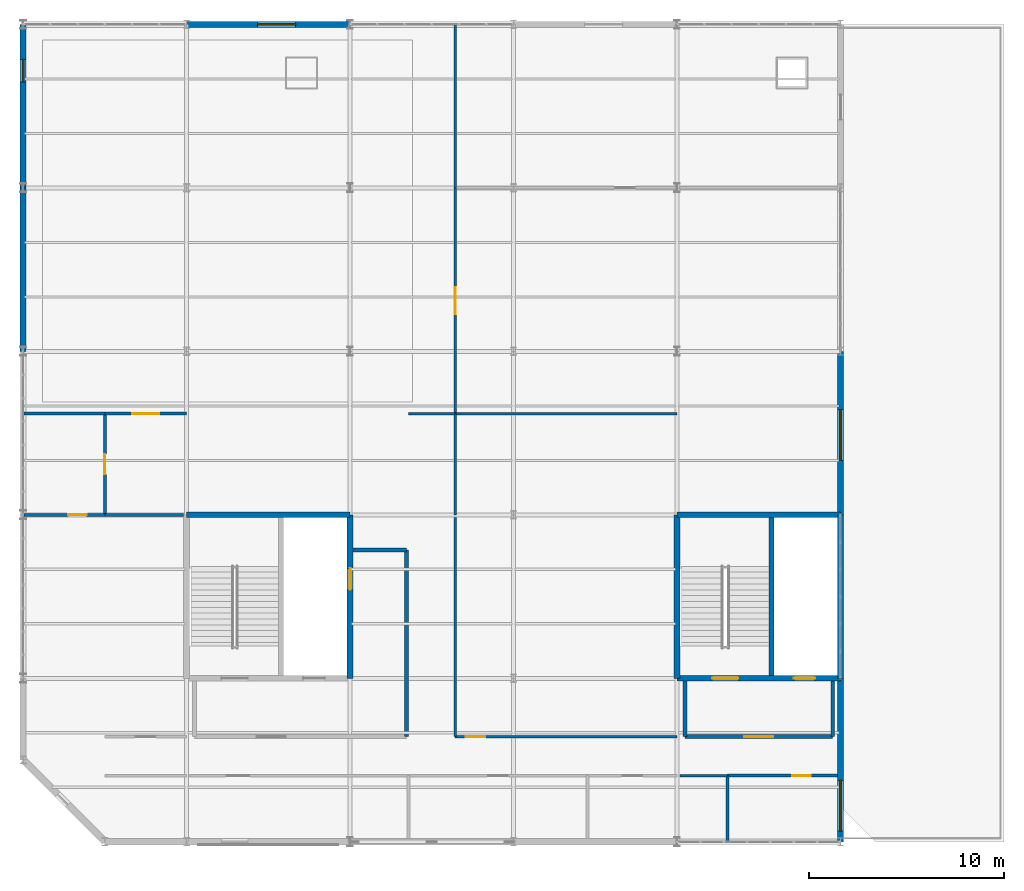
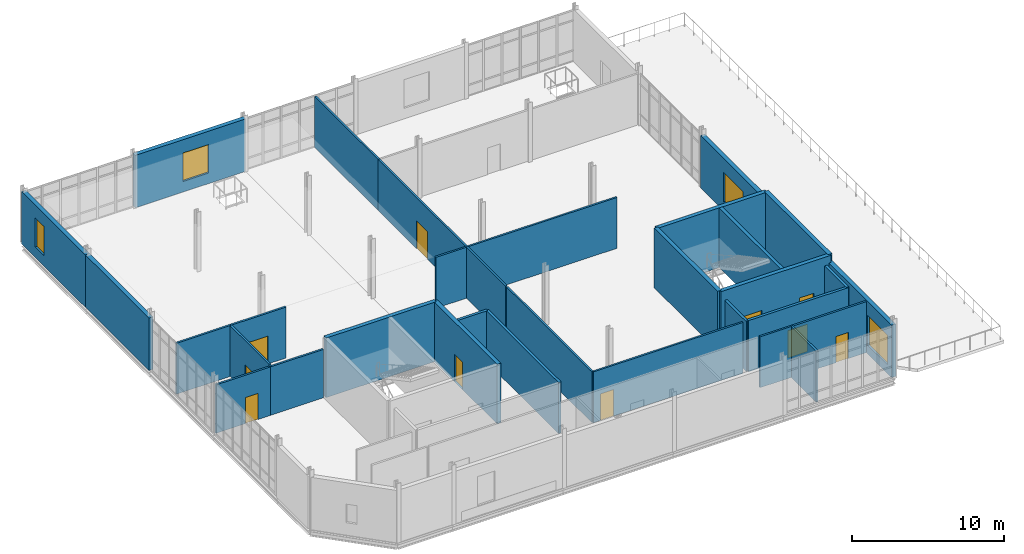
# One storey, part 24 of 28: 32 walls, 10 doors, 4 windows, 14 openings.
"""IFC4 building model written with IfcOpenShell, lengths in metres."""

from ifc_helpers import new_model, si_unit, direction, frame, frame_2d, origin, place, context, subcontext, project, spatial, rectangle, extrude, material, layer, layer_set, type_object, element, fill, save


model = new_model("IFC4")

# Units and contexts
model_context = context("Model", 3, precision=1e-05, world=origin(), true_north=direction((0.0, 1.0)))
body_context = subcontext(model_context, "Body", "Model", "MODEL_VIEW")
ifc_project = project(units=[si_unit("LENGTHUNIT", "METRE"), si_unit("AREAUNIT", "SQUARE_METRE"), si_unit("VOLUMEUNIT", "CUBIC_METRE"), si_unit("PLANEANGLEUNIT", "RADIAN"), si_unit("MASSUNIT", "GRAM", prefix="KILO")], contexts=[model_context])

# Site, building, storey
site_placement = place(None, origin())
site = spatial("IfcSite", under=ifc_project, at=site_placement, CompositionType="ELEMENT")
building_placement = place(site_placement, origin())
building = spatial("IfcBuilding", under=site, at=building_placement, Name="Qalvenar Corner Mobility Hub", CompositionType="ELEMENT")
storey_placement = place(building_placement, frame((0.0, 0.0, 21.60009765625)))
storey = spatial("IfcBuildingStorey", under=building, at=storey_placement, Name="L05", CompositionType="ELEMENT", Elevation=21.60009765625)

# Wall
ifc_material_1 = material(Name="Concrete C40/50", Category="concrete")
ifc_layer_1 = layer(ifc_material_1, 0.25)
ifc_layer_set_1 = layer_set([ifc_layer_1], Name="Concrete C40/50")
wall_type_1 = type_object("IfcWallType", Name="WL-CORE250", PredefinedType="SHEAR", material=ifc_layer_set_1)
wall_1_placement = place(storey_placement, frame((38.449951171875, 8.550048828125, 0.0), z_axis=(0.0, 0.0, 1.0), x_axis=(0.0, 1.0, 0.0)))
element("IfcWall", 1, at=wall_1_placement, inside=storey, type_object=wall_type_1, Name="Core Divider Wall C2-L05", PredefinedType="SHEAR", context=body_context, shape_type="SweptSolid", body=[
    extrude(rectangle(XDim=8.099853515625, YDim=0.25, at=frame_2d((4.0498046875, 0.0))), origin(), (0.0, 0.0, 1.0), 4.7998046875),
])

# Wall, opening, door
ifc_layer_2 = layer(ifc_material_1, 0.300048828125)
ifc_layer_set_2 = layer_set([ifc_layer_2], Name="Concrete C40/50")
wall_type_2 = type_object("IfcWallType", Name="WL-CORE300", PredefinedType="SHEAR", material=ifc_layer_set_2)
wall_2_placement = place(storey_placement, frame((16.800048828125, 8.39990234375, 0.0), z_axis=(0.0, 0.0, 1.0), x_axis=(0.0, 1.0, 0.0)))
wall_2 = element("IfcWall", 2, at=wall_2_placement, inside=storey, type_object=wall_type_2, Name="Core Shear Wall C1-L05-E", PredefinedType="SHEAR", context=body_context, shape_type="SweptSolid", body=[
    extrude(rectangle(XDim=8.400146484375, YDim=0.300048828125, at=frame_2d((4.2001953125, 0.0))), origin(), (0.0, 0.0, 1.0), 4.7998046875),
])
opening_1_placement = place(wall_2_placement, frame((4.550048828125, 0.0, 0.0)))
opening_1 = element("IfcOpeningElement", 3, at=opening_1_placement, cuts=wall_2, Name="Opening DR-257", PredefinedType="OPENING", context=body_context, shape_type="SweptSolid", body=[
    extrude(rectangle(XDim=1.10009765625, YDim=2.199951171875, at=frame_2d((0.550048828125, 1.10009765625))), frame((0.0, 0.16015625, 0.0), z_axis=(0.0, -1.0, 0.0), x_axis=(1.0, 0.0, 0.0)), (0.0, 0.0, 1.0), 0.320068359375),
])
ifc_material_2 = material(Name="Stainless Steel Lift Landing Door", Category="steel")
door_type_1 = type_object("IfcDoorType", Name="DR-LIFT-110", OperationType="SLIDING_TO_LEFT", PredefinedType="DOOR", material=ifc_material_2)
door_1_placement = place(opening_1_placement, origin())
door_1 = element("IfcDoor", 4, at=door_1_placement, inside=storey, type_object=door_type_1, Name="DR-257 Lift Landing Door LP1-L05", OperationType="SLIDING_TO_RIGHT", OverallHeight=2.199951171875, OverallWidth=1.10009765625, PredefinedType="DOOR", context=body_context, shape_type="SweptSolid", body=[
    extrude(rectangle(XDim=1.10009765625, YDim=2.199951171875, at=frame_2d((0.550048828125, 1.10009765625))), frame((0.0, 0.02490234375, 0.0), z_axis=(0.0, -1.0, 0.0), x_axis=(1.0, 0.0, 0.0)), (0.0, 0.0, 1.0), 0.050048828125),
])
fill(opening_1, door_1)

# Wall
wall_3_placement = place(storey_placement, frame((16.800048828125, 16.800048828125, 0.0), z_axis=(0.0, 0.0, 1.0), x_axis=(-1.0, 0.0, 0.0)))
element("IfcWall", 5, at=wall_3_placement, inside=storey, type_object=wall_type_2, Name="Core Shear Wall C1-L05-N", PredefinedType="SHEAR", context=body_context, shape_type="SweptSolid", body=[
    extrude(rectangle(XDim=8.400146484375, YDim=0.300048828125, at=frame_2d((4.2001953125, 0.0))), origin(), (0.0, 0.0, 1.0), 4.7998046875),
])

# Wall, openings, doors
wall_4_placement = place(storey_placement, frame((33.60009765625, 8.39990234375, 0.0), z_axis=(0.0, 0.0, 1.0), x_axis=(1.0, 0.0, 0.0)))
wall_4 = element("IfcWall", 6, at=wall_4_placement, inside=storey, type_object=wall_type_2, Name="Core Shear Wall C2-L05-S", PredefinedType="SHEAR", context=body_context, shape_type="SweptSolid", body=[
    extrude(rectangle(XDim=8.39990234375, YDim=0.300048828125, at=frame_2d((4.199951171875, 0.0))), origin(), (0.0, 0.0, 1.0), 4.7998046875),
])
opening_2_placement = place(wall_4_placement, frame((1.800048828125, 0.0, 0.0)))
opening_2 = element("IfcOpeningElement", 7, at=opening_2_placement, cuts=wall_4, Name="Opening DR-259", PredefinedType="OPENING", context=body_context, shape_type="SweptSolid", body=[
    extrude(rectangle(XDim=1.35009765625, YDim=2.199951171875, at=frame_2d((0.675048828125, 1.10009765625))), frame((0.0, 0.16015625, 0.0), z_axis=(0.0, -1.0, 0.0), x_axis=(1.0, 0.0, 0.0)), (0.0, 0.0, 1.0), 0.320068359375),
])
opening_3_placement = place(wall_4_placement, frame((6.0, 0.0, 0.0)))
opening_3 = element("IfcOpeningElement", 8, at=opening_3_placement, cuts=wall_4, Name="Opening DR-260", PredefinedType="OPENING", context=body_context, shape_type="SweptSolid", body=[
    extrude(rectangle(XDim=1.10009765625, YDim=2.199951171875, at=frame_2d((0.550048828125, 1.10009765625))), frame((0.0, 0.16015625, 0.0), z_axis=(0.0, -1.0, 0.0), x_axis=(1.0, 0.0, 0.0)), (0.0, 0.0, 1.0), 0.320068359375),
])
door_2_placement = place(opening_3_placement, origin())
door_2 = element("IfcDoor", 9, at=door_2_placement, inside=storey, type_object=door_type_1, Name="DR-260 Lift Landing Door LF2-L05", OperationType="SLIDING_TO_LEFT", OverallHeight=2.199951171875, OverallWidth=1.10009765625, PredefinedType="DOOR", context=body_context, shape_type="SweptSolid", body=[
    extrude(rectangle(XDim=1.10009765625, YDim=2.199951171875, at=frame_2d((0.550048828125, 1.10009765625))), frame((0.0, 0.02490234375, 0.0), z_axis=(0.0, -1.0, 0.0), x_axis=(1.0, 0.0, 0.0)), (0.0, 0.0, 1.0), 0.050048828125),
])
fill(opening_3, door_2)
ifc_material_3 = material(Name="Fire-Rated Steel Stair Door FD90", Category="steel")
door_type_2 = type_object("IfcDoorType", Name="DR-STAIR-135", OperationType="NOTDEFINED", PredefinedType="DOOR", material=ifc_material_3)
door_3_placement = place(opening_2_placement, origin())
door_3 = element("IfcDoor", 10, at=door_3_placement, inside=storey, type_object=door_type_2, Name="DR-259 Stair Fire Door ST2-L05", OperationType="SINGLE_SWING_LEFT", OverallHeight=2.199951171875, OverallWidth=1.35009765625, PredefinedType="DOOR", context=body_context, shape_type="SweptSolid", body=[
    extrude(rectangle(XDim=1.35009765625, YDim=2.199951171875, at=frame_2d((0.675048828125, 1.10009765625))), frame((0.0, 0.02490234375, 0.0), z_axis=(0.0, -1.0, 0.0), x_axis=(1.0, 0.0, 0.0)), (0.0, 0.0, 1.0), 0.050048828125),
])
fill(opening_2, door_3)

# Walls
wall_5_placement = place(storey_placement, frame((42.0, 8.39990234375, 0.0), z_axis=(0.0, 0.0, 1.0), x_axis=(0.0, 1.0, 0.0)))
element("IfcWall", 11, at=wall_5_placement, inside=storey, type_object=wall_type_2, Name="Core Shear Wall C2-L05-E", PredefinedType="SHEAR", context=body_context, shape_type="SweptSolid", body=[
    extrude(rectangle(XDim=8.400146484375, YDim=0.300048828125, at=frame_2d((4.2001953125, 0.0))), origin(), (0.0, 0.0, 1.0), 4.7998046875),
])
wall_6_placement = place(storey_placement, frame((42.0, 16.800048828125, 0.0), z_axis=(0.0, 0.0, 1.0), x_axis=(-1.0, 0.0, 0.0)))
element("IfcWall", 12, at=wall_6_placement, inside=storey, type_object=wall_type_2, Name="Core Shear Wall C2-L05-N", PredefinedType="SHEAR", context=body_context, shape_type="SweptSolid", body=[
    extrude(rectangle(XDim=8.39990234375, YDim=0.300048828125, at=frame_2d((4.199951171875, 0.0))), origin(), (0.0, 0.0, 1.0), 4.7998046875),
])
wall_7_placement = place(storey_placement, frame((33.60009765625, 16.800048828125, 0.0), z_axis=(0.0, 0.0, 1.0), x_axis=(0.0, -1.0, 0.0)))
element("IfcWall", 13, at=wall_7_placement, inside=storey, type_object=wall_type_2, Name="Core Shear Wall C2-L05-W", PredefinedType="SHEAR", context=body_context, shape_type="SweptSolid", body=[
    extrude(rectangle(XDim=8.400146484375, YDim=0.300048828125, at=frame_2d((4.2001953125, 0.0))), origin(), (0.0, 0.0, 1.0), 4.7998046875),
])
ifc_material_4 = material(Name="Red Sandstone Ashlar Masonry", Category="masonry")
ifc_layer_3 = layer(ifc_material_4, 0.320068359375)
ifc_layer_set_3 = layer_set([ifc_layer_3], Name="Red Sandstone Ashlar Masonry")
wall_type_3 = type_object("IfcWallType", Name="WL-EXT-SAND320", PredefinedType="STANDARD", material=ifc_layer_set_3)
wall_8_placement = place(storey_placement, frame((0.0, 33.60009765625, 0.0), z_axis=(0.0, 0.0, 1.0), x_axis=(0.0, -1.0, 0.0)))
element("IfcWall", 14, at=wall_8_placement, inside=storey, type_object=wall_type_3, Name="Exterior Facade Wall EW-V3-L05-060", PredefinedType="STANDARD", context=body_context, shape_type="SweptSolid", body=[
    extrude(rectangle(XDim=8.400146484375, YDim=0.320068359375, at=frame_2d((4.2001953125, 0.0))), origin(), (0.0, 0.0, 1.0), 4.219970703125),
])

# Wall, opening, window
wall_9_placement = place(storey_placement, frame((0.0, 42.0, 0.0), z_axis=(0.0, 0.0, 1.0), x_axis=(0.0, -1.0, 0.0)))
wall_9 = element("IfcWall", 15, at=wall_9_placement, inside=storey, type_object=wall_type_3, Name="Exterior Facade Wall EW-V3-L05-061", PredefinedType="STANDARD", context=body_context, shape_type="SweptSolid", body=[
    extrude(rectangle(XDim=8.39990234375, YDim=0.320068359375, at=frame_2d((4.199951171875, 0.0))), origin(), (0.0, 0.0, 1.0), 4.219970703125),
])
opening_4_placement = place(wall_9_placement, frame((1.800048828125, 0.0, 0.85009765625)))
opening_4 = element("IfcOpeningElement", 16, at=opening_4_placement, cuts=wall_9, Name="Opening W-28", PredefinedType="OPENING", context=body_context, shape_type="SweptSolid", body=[
    extrude(rectangle(XDim=1.14990234375, YDim=2.35009765625, at=frame_2d((0.574951171875, 1.175048828125))), frame((0.0, 0.169921875, 0.0), z_axis=(0.0, -1.0, 0.0), x_axis=(1.0, 0.0, 0.0)), (0.0, 0.0, 1.0), 0.340087890625),
])
ifc_material_5 = material(Name="Solar-Control Double-Glazed Bronze Window", Category="glass")
window_type_1 = type_object("IfcWindowType", Name="WN-CIV-115X235", PartitioningType="SINGLE_PANEL", PredefinedType="WINDOW", material=ifc_material_5)
window_1_placement = place(opening_4_placement, origin())
window_1 = element("IfcWindow", 17, at=window_1_placement, inside=storey, type_object=window_type_1, Name="Facade Window EW-V3-L05-061-W1", OverallHeight=2.35009765625, OverallWidth=1.14990234375, PartitioningType="SINGLE_PANEL", PredefinedType="WINDOW", context=body_context, shape_type="SweptSolid", body=[
    extrude(rectangle(XDim=1.14990234375, YDim=2.35009765625, at=frame_2d((0.574951171875, 1.175048828125))), frame((0.0, 0.030029296875, 0.0), z_axis=(0.0, -1.0, 0.0), x_axis=(1.0, 0.0, 0.0)), (0.0, 0.0, 1.0), 0.06005859375),
])
fill(opening_4, window_1)

wall_10_placement = place(storey_placement, frame((16.800048828125, 42.0, 0.0), z_axis=(0.0, 0.0, 1.0), x_axis=(-1.0, 0.0, 0.0)))
wall_10 = element("IfcWall", 18, at=wall_10_placement, inside=storey, type_object=wall_type_3, Name="Exterior Facade Wall EW-V3-L05-062", PredefinedType="STANDARD", context=body_context, shape_type="SweptSolid", body=[
    extrude(rectangle(XDim=8.400146484375, YDim=0.320068359375, at=frame_2d((4.2001953125, 0.0))), origin(), (0.0, 0.0, 1.0), 4.219970703125),
])
opening_5_placement = place(wall_10_placement, frame((2.800048828125, 0.0, 0.85009765625)))
opening_5 = element("IfcOpeningElement", 19, at=opening_5_placement, cuts=wall_10, Name="Opening W-29", PredefinedType="OPENING", context=body_context, shape_type="SweptSolid", body=[
    extrude(rectangle(XDim=1.949951171875, YDim=2.300048828125, at=frame_2d((0.97509765625, 1.14990234375))), frame((0.0, 0.169921875, 0.0), z_axis=(0.0, -1.0, 0.0), x_axis=(1.0, 0.0, 0.0)), (0.0, 0.0, 1.0), 0.340087890625),
])
window_type_2 = type_object("IfcWindowType", Name="WN-CIV-195X230", PartitioningType="DOUBLE_PANEL_VERTICAL", PredefinedType="WINDOW", material=ifc_material_5)
window_2_placement = place(opening_5_placement, origin())
window_2 = element("IfcWindow", 20, at=window_2_placement, inside=storey, type_object=window_type_2, Name="Facade Window EW-V3-L05-062-W1", OverallHeight=2.300048828125, OverallWidth=1.949951171875, PartitioningType="SINGLE_PANEL", PredefinedType="WINDOW", context=body_context, shape_type="SweptSolid", body=[
    extrude(rectangle(XDim=1.949951171875, YDim=2.300048828125, at=frame_2d((0.97509765625, 1.14990234375))), frame((0.0, 0.030029296875, 0.0), z_axis=(0.0, -1.0, 0.0), x_axis=(1.0, 0.0, 0.0)), (0.0, 0.0, 1.0), 0.06005859375),
])
fill(opening_5, window_2)

wall_11_placement = place(storey_placement, frame((42.0, 0.0, 0.0), z_axis=(0.0, 0.0, 1.0), x_axis=(0.0, 1.0, 0.0)))
wall_11 = element("IfcWall", 21, at=wall_11_placement, inside=storey, type_object=wall_type_3, Name="Exterior Facade Wall EW-V3-L05-064", PredefinedType="STANDARD", context=body_context, shape_type="SweptSolid", body=[
    extrude(rectangle(XDim=8.39990234375, YDim=0.320068359375, at=frame_2d((4.199951171875, 0.0))), origin(), (0.0, 0.0, 1.0), 4.219970703125),
])
opening_6_placement = place(wall_11_placement, frame((0.550048828125, 0.0, 0.699951171875)))
opening_6 = element("IfcOpeningElement", 22, at=opening_6_placement, cuts=wall_11, Name="Opening W-11", PredefinedType="OPENING", context=body_context, shape_type="SweptSolid", body=[
    extrude(rectangle(XDim=2.60009765625, YDim=2.39990234375, at=frame_2d((1.300048828125, 1.199951171875))), frame((0.0, 0.169921875, 0.0), z_axis=(0.0, -1.0, 0.0), x_axis=(1.0, 0.0, 0.0)), (0.0, 0.0, 1.0), 0.340087890625),
])
window_type_3 = type_object("IfcWindowType", Name="WN-CON-260X240", PartitioningType="TRIPLE_PANEL_VERTICAL", PredefinedType="WINDOW", material=ifc_material_5)
window_3_placement = place(opening_6_placement, origin())
window_3 = element("IfcWindow", 23, at=window_3_placement, inside=storey, type_object=window_type_3, Name="Facade Window EW-V3-L05-064-W1", OverallHeight=2.39990234375, OverallWidth=2.60009765625, PartitioningType="SINGLE_PANEL", PredefinedType="WINDOW", context=body_context, shape_type="SweptSolid", body=[
    extrude(rectangle(XDim=2.60009765625, YDim=2.39990234375, at=frame_2d((1.300048828125, 1.199951171875))), frame((0.0, 0.030029296875, 0.0), z_axis=(0.0, -1.0, 0.0), x_axis=(1.0, 0.0, 0.0)), (0.0, 0.0, 1.0), 0.06005859375),
])
fill(opening_6, window_3)

wall_12_placement = place(storey_placement, frame((42.0, 16.800048828125, 0.0), z_axis=(0.0, 0.0, 1.0), x_axis=(0.0, 1.0, 0.0)))
wall_12 = element("IfcWall", 24, at=wall_12_placement, inside=storey, type_object=wall_type_3, Name="Exterior Facade Wall EW-V3-L05-065", PredefinedType="STANDARD", context=body_context, shape_type="SweptSolid", body=[
    extrude(rectangle(XDim=8.39990234375, YDim=0.320068359375, at=frame_2d((4.199951171875, 0.0))), origin(), (0.0, 0.0, 1.0), 4.219970703125),
])
opening_7_placement = place(wall_12_placement, frame((2.800048828125, 0.0, 0.699951171875)))
opening_7 = element("IfcOpeningElement", 25, at=opening_7_placement, cuts=wall_12, Name="Opening W-11", PredefinedType="OPENING", context=body_context, shape_type="SweptSolid", body=[
    extrude(rectangle(XDim=2.60009765625, YDim=2.39990234375, at=frame_2d((1.300048828125, 1.199951171875))), frame((0.0, 0.169921875, 0.0), z_axis=(0.0, -1.0, 0.0), x_axis=(1.0, 0.0, 0.0)), (0.0, 0.0, 1.0), 0.340087890625),
])
window_4_placement = place(opening_7_placement, origin())
window_4 = element("IfcWindow", 26, at=window_4_placement, inside=storey, type_object=window_type_3, Name="Facade Window EW-V3-L05-065-W1", OverallHeight=2.39990234375, OverallWidth=2.60009765625, PartitioningType="SINGLE_PANEL", PredefinedType="WINDOW", context=body_context, shape_type="SweptSolid", body=[
    extrude(rectangle(XDim=2.60009765625, YDim=2.39990234375, at=frame_2d((1.300048828125, 1.199951171875))), frame((0.0, 0.030029296875, 0.0), z_axis=(0.0, -1.0, 0.0), x_axis=(1.0, 0.0, 0.0)), (0.0, 0.0, 1.0), 0.06005859375),
])
fill(opening_7, window_4)

# Wall
ifc_material_6 = material(Name="Acoustic Gypsum Stud Partition", Category="masonry")
ifc_layer_4 = layer(ifc_material_6, 0.139892578125)
ifc_layer_set_4 = layer_set([ifc_layer_4], Name="Acoustic Gypsum Stud Partition")
wall_type_4 = type_object("IfcWallType", Name="WL-INT140", PredefinedType="PARTITIONING", material=ifc_layer_set_4)
wall_13_placement = place(storey_placement, frame((33.75, 3.39990234375, 0.0), z_axis=(0.0, 0.0, 1.0), x_axis=(1.0, 0.0, 0.0)))
element("IfcWall", 27, at=wall_13_placement, inside=storey, type_object=wall_type_4, Name="Interior Partition PRT-L05-005", PredefinedType="PARTITIONING", context=body_context, shape_type="SweptSolid", body=[
    extrude(rectangle(XDim=2.449951171875, YDim=0.139892578125, at=frame_2d((1.22509765625, 0.0))), origin(), (0.0, 0.0, 1.0), 4.099853515625),
])

# Wall, opening, door
wall_14_placement = place(storey_placement, frame((22.199951171875, 5.39990234375, 0.0), z_axis=(0.0, 0.0, 1.0), x_axis=(1.0, 0.0, 0.0)))
wall_14 = element("IfcWall", 28, at=wall_14_placement, inside=storey, type_object=wall_type_4, Name="Interior Partition PRT-L05-008", PredefinedType="PARTITIONING", context=body_context, shape_type="SweptSolid", body=[
    extrude(rectangle(XDim=11.400146484375, YDim=0.139892578125, at=frame_2d((5.7001953125, 0.0))), origin(), (0.0, 0.0, 1.0), 4.099853515625),
])
opening_8_placement = place(wall_14_placement, frame((0.550048828125, 0.0, 0.0)))
opening_8 = element("IfcOpeningElement", 29, at=opening_8_placement, cuts=wall_14, Name="Opening DR-267", PredefinedType="OPENING", context=body_context, shape_type="SweptSolid", body=[
    extrude(rectangle(XDim=1.0, YDim=2.14990234375, at=frame_2d((0.5, 1.074951171875))), frame((0.0, 0.080078125, 0.0), z_axis=(0.0, -1.0, 0.0), x_axis=(1.0, 0.0, 0.0)), (0.0, 0.0, 1.0), 0.159912109375),
])
ifc_material_7 = material(Name="Hardwood Teak Office Door FD30", Category="wood")
door_type_3 = type_object("IfcDoorType", Name="DR-INT-OFF100", OperationType="NOTDEFINED", PredefinedType="DOOR", material=ifc_material_7)
door_4_placement = place(opening_8_placement, origin())
door_4 = element("IfcDoor", 30, at=door_4_placement, inside=storey, type_object=door_type_3, Name="DR-267 Sports Kit and Towel Room Door", OperationType="SINGLE_SWING_RIGHT", OverallHeight=2.14990234375, OverallWidth=1.0, PredefinedType="DOOR", context=body_context, shape_type="SweptSolid", body=[
    extrude(rectangle(XDim=1.0, YDim=2.14990234375, at=frame_2d((0.5, 1.074951171875))), frame((0.0, 0.02490234375, 0.0), z_axis=(0.0, -1.0, 0.0), x_axis=(1.0, 0.0, 0.0)), (0.0, 0.0, 1.0), 0.050048828125),
])
fill(opening_8, door_4)

# Walls
wall_15_placement = place(storey_placement, frame((19.800048828125, 22.0, 0.0), z_axis=(0.0, 0.0, 1.0), x_axis=(1.0, 0.0, 0.0)))
element("IfcWall", 31, at=wall_15_placement, inside=storey, type_object=wall_type_4, Name="Interior Partition PRT-L05-013", PredefinedType="PARTITIONING", context=body_context, shape_type="SweptSolid", body=[
    extrude(rectangle(XDim=2.39990234375, YDim=0.139892578125, at=frame_2d((1.199951171875, 0.0))), origin(), (0.0, 0.0, 1.0), 4.099853515625),
])
wall_16_placement = place(storey_placement, frame((22.199951171875, 22.0, 0.0), z_axis=(0.0, 0.0, 1.0), x_axis=(1.0, 0.0, 0.0)))
element("IfcWall", 32, at=wall_16_placement, inside=storey, type_object=wall_type_4, Name="Interior Partition PRT-L05-014", PredefinedType="PARTITIONING", context=body_context, shape_type="SweptSolid", body=[
    extrude(rectangle(XDim=11.400146484375, YDim=0.139892578125, at=frame_2d((5.7001953125, 0.0))), origin(), (0.0, 0.0, 1.0), 4.099853515625),
])
wall_17_placement = place(storey_placement, frame((22.199951171875, 5.39990234375, 0.0), z_axis=(0.0, 0.0, 1.0), x_axis=(0.0, 1.0, 0.0)))
element("IfcWall", 33, at=wall_17_placement, inside=storey, type_object=wall_type_4, Name="Interior Partition PRT-L05-019", PredefinedType="PARTITIONING", context=body_context, shape_type="SweptSolid", body=[
    extrude(rectangle(XDim=11.25, YDim=0.139892578125, at=frame_2d((5.625, 0.0))), origin(), (0.0, 0.0, 1.0), 4.099853515625),
])
wall_18_placement = place(storey_placement, frame((22.199951171875, 16.800048828125, 0.0), z_axis=(0.0, 0.0, 1.0), x_axis=(0.0, 1.0, 0.0)))
element("IfcWall", 34, at=wall_18_placement, inside=storey, type_object=wall_type_4, Name="Interior Partition PRT-L05-020", PredefinedType="PARTITIONING", context=body_context, shape_type="SweptSolid", body=[
    extrude(rectangle(XDim=5.199951171875, YDim=0.139892578125, at=frame_2d((2.60009765625, 0.0))), origin(), (0.0, 0.0, 1.0), 4.099853515625),
])

# Wall, opening, door
wall_19_placement = place(storey_placement, frame((22.199951171875, 22.0, 0.0), z_axis=(0.0, 0.0, 1.0), x_axis=(0.0, 1.0, 0.0)))
wall_19 = element("IfcWall", 35, at=wall_19_placement, inside=storey, type_object=wall_type_4, Name="Interior Partition PRT-L05-021", PredefinedType="PARTITIONING", context=body_context, shape_type="SweptSolid", body=[
    extrude(rectangle(XDim=11.60009765625, YDim=0.139892578125, at=frame_2d((5.800048828125, 0.0))), origin(), (0.0, 0.0, 1.0), 4.099853515625),
])
opening_9_placement = place(wall_19_placement, frame((5.10009765625, 0.0, 0.0)))
opening_9 = element("IfcOpeningElement", 36, at=opening_9_placement, cuts=wall_19, Name="Opening DR-272", PredefinedType="OPENING", context=body_context, shape_type="SweptSolid", body=[
    extrude(rectangle(XDim=1.39990234375, YDim=2.25, at=frame_2d((0.699951171875, 1.125))), frame((0.0, 0.080078125, 0.0), z_axis=(0.0, -1.0, 0.0), x_axis=(1.0, 0.0, 0.0)), (0.0, 0.0, 1.0), 0.159912109375),
])
ifc_material_8 = material(Name="Hardwood Teak Acoustic Double Door", Category="wood")
door_type_4 = type_object("IfcDoorType", Name="DR-INT-PUB140", OperationType="DOUBLE_DOOR_SINGLE_SWING", PredefinedType="DOOR", material=ifc_material_8)
door_5_placement = place(opening_9_placement, origin())
door_5 = element("IfcDoor", 37, at=door_5_placement, inside=storey, type_object=door_type_4, Name="DR-272 Commuter Fitness and Stretching Studio Door", OperationType="DOUBLE_DOOR_SINGLE_SWING", OverallHeight=2.25, OverallWidth=1.39990234375, PredefinedType="DOOR", context=body_context, shape_type="SweptSolid", body=[
    extrude(rectangle(XDim=1.39990234375, YDim=2.25, at=frame_2d((0.699951171875, 1.125))), frame((0.0, 0.02490234375, 0.0), z_axis=(0.0, -1.0, 0.0), x_axis=(1.0, 0.0, 0.0)), (0.0, 0.0, 1.0), 0.050048828125),
])
fill(opening_9, door_5)

# Walls
wall_20_placement = place(storey_placement, frame((22.199951171875, 33.60009765625, 0.0), z_axis=(0.0, 0.0, 1.0), x_axis=(0.0, 1.0, 0.0)))
element("IfcWall", 38, at=wall_20_placement, inside=storey, type_object=wall_type_4, Name="Interior Partition PRT-L05-022", PredefinedType="PARTITIONING", context=body_context, shape_type="SweptSolid", body=[
    extrude(rectangle(XDim=8.35498046875, YDim=0.139892578125, at=frame_2d((4.177490234375, 0.0))), origin(), (0.0, 0.0, 1.0), 4.099853515625),
])
ifc_material_9 = material(Name="Concrete Blockwork Masonry", Category="masonry")
ifc_layer_5 = layer(ifc_material_9, 0.199951171875)
ifc_layer_set_5 = layer_set([ifc_layer_5], Name="Concrete Blockwork Masonry")
wall_type_5 = type_object("IfcWallType", Name="WL-LOBBY200", PredefinedType="PARTITIONING", material=ifc_layer_set_5)
wall_21_placement = place(storey_placement, frame((19.699951171875, 5.39990234375, 0.0), z_axis=(0.0, 0.0, 1.0), x_axis=(0.0, 1.0, 0.0)))
element("IfcWall", 39, at=wall_21_placement, inside=storey, type_object=wall_type_5, Name="Interior Partition WL-LOB-C1-L05-E", PredefinedType="PARTITIONING", context=body_context, shape_type="SweptSolid", body=[
    extrude(rectangle(XDim=9.60009765625, YDim=0.199951171875, at=frame_2d((4.800048828125, 0.0))), origin(), (0.0, 0.0, 1.0), 4.119873046875),
])
wall_22_placement = place(storey_placement, frame((16.9599609375, 15.0, 0.0), z_axis=(0.0, 0.0, 1.0), x_axis=(1.0, 0.0, 0.0)))
element("IfcWall", 40, at=wall_22_placement, inside=storey, type_object=wall_type_5, Name="Interior Partition WL-LOB-C1-L05-N", PredefinedType="PARTITIONING", context=body_context, shape_type="SweptSolid", body=[
    extrude(rectangle(XDim=2.739990234375, YDim=0.199951171875, at=frame_2d((1.3701171875, 0.0))), origin(), (0.0, 0.0, 1.0), 4.119873046875),
])
wall_23_placement = place(storey_placement, frame((34.0, 5.39990234375, 0.0), z_axis=(0.0, 0.0, 1.0), x_axis=(0.0, 1.0, 0.0)))
element("IfcWall", 41, at=wall_23_placement, inside=storey, type_object=wall_type_5, Name="Interior Partition WL-LOB-C2-L05-W", PredefinedType="PARTITIONING", context=body_context, shape_type="SweptSolid", body=[
    extrude(rectangle(XDim=2.85009765625, YDim=0.199951171875, at=frame_2d((1.425048828125, 0.0))), origin(), (0.0, 0.0, 1.0), 4.0),
])
wall_24_placement = place(storey_placement, frame((41.60009765625, 5.39990234375, 0.0), z_axis=(0.0, 0.0, 1.0), x_axis=(0.0, 1.0, 0.0)))
element("IfcWall", 42, at=wall_24_placement, inside=storey, type_object=wall_type_5, Name="Interior Partition WL-LOB-C2-L05-E", PredefinedType="PARTITIONING", context=body_context, shape_type="SweptSolid", body=[
    extrude(rectangle(XDim=2.85009765625, YDim=0.199951171875, at=frame_2d((1.425048828125, 0.0))), origin(), (0.0, 0.0, 1.0), 4.119873046875),
])

# Wall, opening, door
wall_25_placement = place(storey_placement, frame((34.0, 5.39990234375, 0.0), z_axis=(0.0, 0.0, 1.0), x_axis=(1.0, 0.0, 0.0)))
wall_25 = element("IfcWall", 43, at=wall_25_placement, inside=storey, type_object=wall_type_5, Name="Interior Partition WL-LOB-C2-L05-S", PredefinedType="PARTITIONING", context=body_context, shape_type="SweptSolid", body=[
    extrude(rectangle(XDim=7.60009765625, YDim=0.199951171875, at=frame_2d((3.800048828125, 0.0))), origin(), (0.0, 0.0, 1.0), 4.119873046875),
])
opening_10_placement = place(wall_25_placement, frame((3.050048828125, 0.0, 0.0)))
opening_10 = element("IfcOpeningElement", 44, at=opening_10_placement, cuts=wall_25, Name="Opening DR-261", PredefinedType="OPENING", context=body_context, shape_type="SweptSolid", body=[
    extrude(rectangle(XDim=1.5, YDim=2.199951171875, at=frame_2d((0.75, 1.10009765625))), frame((0.0, 0.10986328125, 0.0), z_axis=(0.0, -1.0, 0.0), x_axis=(1.0, 0.0, 0.0)), (0.0, 0.0, 1.0), 0.219970703125),
])
ifc_material_10 = material(Name="Firefighting Lobby Smoke-Control Door FD60", Category="steel")
door_type_5 = type_object("IfcDoorType", Name="DR-FFLOB-150", OperationType="DOUBLE_DOOR_SINGLE_SWING", PredefinedType="DOOR", material=ifc_material_10)
door_6_placement = place(opening_10_placement, origin())
door_6 = element("IfcDoor", 45, at=door_6_placement, inside=storey, type_object=door_type_5, Name="DR-261 Lift Lobby Smoke Door C2-L05", OperationType="DOUBLE_DOOR_SINGLE_SWING", OverallHeight=2.199951171875, OverallWidth=1.5, PredefinedType="DOOR", context=body_context, shape_type="SweptSolid", body=[
    extrude(rectangle(XDim=1.5, YDim=2.199951171875, at=frame_2d((0.75, 1.10009765625))), frame((0.0, 0.02490234375, 0.0), z_axis=(0.0, -1.0, 0.0), x_axis=(1.0, 0.0, 0.0)), (0.0, 0.0, 1.0), 0.050048828125),
])
fill(opening_10, door_6)

ifc_material_11 = material(Name="Ceramic-Tiled Moisture-Resistant Partition", Category="masonry")
ifc_layer_6 = layer(ifc_material_11, 0.14990234375)
ifc_layer_set_6 = layer_set([ifc_layer_6], Name="Ceramic-Tiled Moisture-Resistant Partition")
wall_type_6 = type_object("IfcWallType", Name="WL-WET150", PredefinedType="PARTITIONING", material=ifc_layer_set_6)
wall_26_placement = place(storey_placement, frame((36.199951171875, 3.39990234375, 0.0), z_axis=(0.0, 0.0, 1.0), x_axis=(1.0, 0.0, 0.0)))
wall_26 = element("IfcWall", 46, at=wall_26_placement, inside=storey, type_object=wall_type_6, Name="Interior Partition PRT-L05-006", PredefinedType="PARTITIONING", context=body_context, shape_type="SweptSolid", body=[
    extrude(rectangle(XDim=5.635009765625, YDim=0.14990234375, at=frame_2d((2.8173828125, 0.0))), origin(), (0.0, 0.0, 1.0), 4.099853515625),
])
opening_11_placement = place(wall_26_placement, frame((3.320068359375, 0.0, 0.0)))
opening_11 = element("IfcOpeningElement", 47, at=opening_11_placement, cuts=wall_26, Name="Opening DR-265", PredefinedType="OPENING", context=body_context, shape_type="SweptSolid", body=[
    extrude(rectangle(XDim=0.949951171875, YDim=2.10009765625, at=frame_2d((0.47509765625, 1.050048828125))), frame((0.0, 0.0849609375, 0.0), z_axis=(0.0, -1.0, 0.0), x_axis=(1.0, 0.0, 0.0)), (0.0, 0.0, 1.0), 0.169921875),
])
ifc_material_12 = material(Name="Moisture-Resistant Laminate WC Door", Category="wood")
door_type_6 = type_object("IfcDoorType", Name="DR-INT-WC095", OperationType="NOTDEFINED", PredefinedType="DOOR", material=ifc_material_12)
door_7_placement = place(opening_11_placement, origin())
door_7 = element("IfcDoor", 48, at=door_7_placement, inside=storey, type_object=door_type_6, Name="DR-265 Athlete Shower Room Door", OperationType="SINGLE_SWING_LEFT", OverallHeight=2.10009765625, OverallWidth=0.949951171875, PredefinedType="DOOR", context=body_context, shape_type="SweptSolid", body=[
    extrude(rectangle(XDim=0.949951171875, YDim=2.10009765625, at=frame_2d((0.47509765625, 1.050048828125))), frame((0.0, 0.02490234375, 0.0), z_axis=(0.0, -1.0, 0.0), x_axis=(1.0, 0.0, 0.0)), (0.0, 0.0, 1.0), 0.050048828125),
])
fill(opening_11, door_7)

wall_27_placement = place(storey_placement, frame((0.044921875, 16.800048828125, 0.0), z_axis=(0.0, 0.0, 1.0), x_axis=(1.0, 0.0, 0.0)))
wall_27 = element("IfcWall", 49, at=wall_27_placement, inside=storey, type_object=wall_type_6, Name="Interior Partition PRT-L05-009", PredefinedType="PARTITIONING", context=body_context, shape_type="SweptSolid", body=[
    extrude(rectangle(XDim=4.155029296875, YDim=0.14990234375, at=frame_2d((2.07763671875, 0.0))), origin(), (0.0, 0.0, 1.0), 3.89990234375),
])
opening_12_placement = place(wall_27_placement, frame((2.27001953125, 0.0, 0.0)))
opening_12 = element("IfcOpeningElement", 50, at=opening_12_placement, cuts=wall_27, Name="Opening DR-268", PredefinedType="OPENING", context=body_context, shape_type="SweptSolid", body=[
    extrude(rectangle(XDim=0.949951171875, YDim=2.10009765625, at=frame_2d((0.47509765625, 1.050048828125))), frame((0.0, 0.0849609375, 0.0), z_axis=(0.0, -1.0, 0.0), x_axis=(1.0, 0.0, 0.0)), (0.0, 0.0, 1.0), 0.169921875),
])
door_8_placement = place(opening_12_placement, origin())
door_8 = element("IfcDoor", 51, at=door_8_placement, inside=storey, type_object=door_type_6, Name="DR-268 Fifth Floor Public Toilets Door", OperationType="SINGLE_SWING_LEFT", OverallHeight=2.10009765625, OverallWidth=0.949951171875, PredefinedType="DOOR", context=body_context, shape_type="SweptSolid", body=[
    extrude(rectangle(XDim=0.949951171875, YDim=2.10009765625, at=frame_2d((0.47509765625, 1.050048828125))), frame((0.0, 0.02490234375, 0.0), z_axis=(0.0, -1.0, 0.0), x_axis=(1.0, 0.0, 0.0)), (0.0, 0.0, 1.0), 0.050048828125),
])
fill(opening_12, door_8)

# Walls
wall_28_placement = place(storey_placement, frame((4.199951171875, 16.800048828125, 0.0), z_axis=(0.0, 0.0, 1.0), x_axis=(1.0, 0.0, 0.0)))
element("IfcWall", 52, at=wall_28_placement, inside=storey, type_object=wall_type_6, Name="Interior Partition PRT-L05-010", PredefinedType="PARTITIONING", context=body_context, shape_type="SweptSolid", body=[
    extrude(rectangle(XDim=4.045166015625, YDim=0.14990234375, at=frame_2d((2.0224609375, 0.0))), origin(), (0.0, 0.0, 1.0), 3.89990234375),
])
wall_29_placement = place(storey_placement, frame((0.044921875, 22.0, 0.0), z_axis=(0.0, 0.0, 1.0), x_axis=(1.0, 0.0, 0.0)))
element("IfcWall", 53, at=wall_29_placement, inside=storey, type_object=wall_type_6, Name="Interior Partition PRT-L05-011", PredefinedType="PARTITIONING", context=body_context, shape_type="SweptSolid", body=[
    extrude(rectangle(XDim=4.155029296875, YDim=0.14990234375, at=frame_2d((2.07763671875, 0.0))), origin(), (0.0, 0.0, 1.0), 4.099853515625),
])

# Wall, opening, door
wall_30_placement = place(storey_placement, frame((4.199951171875, 22.0, 0.0), z_axis=(0.0, 0.0, 1.0), x_axis=(1.0, 0.0, 0.0)))
wall_30 = element("IfcWall", 54, at=wall_30_placement, inside=storey, type_object=wall_type_6, Name="Interior Partition PRT-L05-012", PredefinedType="PARTITIONING", context=body_context, shape_type="SweptSolid", body=[
    extrude(rectangle(XDim=4.199951171875, YDim=0.14990234375, at=frame_2d((2.10009765625, 0.0))), origin(), (0.0, 0.0, 1.0), 4.099853515625),
])
opening_13_placement = place(wall_30_placement, frame((1.39990234375, 0.0, 0.0)))
opening_13 = element("IfcOpeningElement", 55, at=opening_13_placement, cuts=wall_30, Name="Opening DR-269", PredefinedType="OPENING", context=body_context, shape_type="SweptSolid", body=[
    extrude(rectangle(XDim=1.39990234375, YDim=2.25, at=frame_2d((0.699951171875, 1.125))), frame((0.0, 0.0849609375, 0.0), z_axis=(0.0, -1.0, 0.0), x_axis=(1.0, 0.0, 0.0)), (0.0, 0.0, 1.0), 0.169921875),
])
door_9_placement = place(opening_13_placement, origin())
door_9 = element("IfcDoor", 56, at=door_9_placement, inside=storey, type_object=door_type_4, Name="DR-269 Transit Driver Welfare and Rest Lounge Door", OperationType="DOUBLE_DOOR_SINGLE_SWING", OverallHeight=2.25, OverallWidth=1.39990234375, PredefinedType="DOOR", context=body_context, shape_type="SweptSolid", body=[
    extrude(rectangle(XDim=1.39990234375, YDim=2.25, at=frame_2d((0.699951171875, 1.125))), frame((0.0, 0.02490234375, 0.0), z_axis=(0.0, -1.0, 0.0), x_axis=(1.0, 0.0, 0.0)), (0.0, 0.0, 1.0), 0.050048828125),
])
fill(opening_13, door_9)

wall_31_placement = place(storey_placement, frame((4.199951171875, 16.800048828125, 0.0), z_axis=(0.0, 0.0, 1.0), x_axis=(0.0, 1.0, 0.0)))
wall_31 = element("IfcWall", 57, at=wall_31_placement, inside=storey, type_object=wall_type_6, Name="Interior Partition PRT-L05-017", PredefinedType="PARTITIONING", context=body_context, shape_type="SweptSolid", body=[
    extrude(rectangle(XDim=5.199951171875, YDim=0.14990234375, at=frame_2d((2.60009765625, 0.0))), origin(), (0.0, 0.0, 1.0), 4.099853515625),
])
opening_14_placement = place(wall_31_placement, frame((2.074951171875, 0.0, 0.0)))
opening_14 = element("IfcOpeningElement", 58, at=opening_14_placement, cuts=wall_31, Name="Opening DR-271", PredefinedType="OPENING", context=body_context, shape_type="SweptSolid", body=[
    extrude(rectangle(XDim=1.050048828125, YDim=2.14990234375, at=frame_2d((0.52490234375, 1.074951171875))), frame((0.0, 0.0849609375, 0.0), z_axis=(0.0, -1.0, 0.0), x_axis=(1.0, 0.0, 0.0)), (0.0, 0.0, 1.0), 0.169921875),
])
ifc_material_13 = material(Name="Accessible Wheelchair WC Door", Category="wood")
door_type_7 = type_object("IfcDoorType", Name="DR-INT-AWC105", OperationType="NOTDEFINED", PredefinedType="DOOR", material=ifc_material_13)
door_10_placement = place(opening_14_placement, origin())
door_10 = element("IfcDoor", 59, at=door_10_placement, inside=storey, type_object=door_type_7, Name="DR-271 Fifth Floor Accessible WC Door", OperationType="SINGLE_SWING_RIGHT", OverallHeight=2.14990234375, OverallWidth=1.050048828125, PredefinedType="DOOR", context=body_context, shape_type="SweptSolid", body=[
    extrude(rectangle(XDim=1.050048828125, YDim=2.14990234375, at=frame_2d((0.52490234375, 1.074951171875))), frame((0.0, 0.02490234375, 0.0), z_axis=(0.0, -1.0, 0.0), x_axis=(1.0, 0.0, 0.0)), (0.0, 0.0, 1.0), 0.050048828125),
])
fill(opening_14, door_10)

# Wall
wall_32_placement = place(storey_placement, frame((36.199951171875, 0.044921875, 0.0), z_axis=(0.0, 0.0, 1.0), x_axis=(0.0, 1.0, 0.0)))
element("IfcWall", 60, at=wall_32_placement, inside=storey, type_object=wall_type_6, Name="Interior Partition PRT-L05-024", PredefinedType="PARTITIONING", context=body_context, shape_type="SweptSolid", body=[
    extrude(rectangle(XDim=3.35498046875, YDim=0.14990234375, at=frame_2d((1.677490234375, 0.0))), origin(), (0.0, 0.0, 1.0), 4.099853515625),
])

save(model, "model.ifc")
